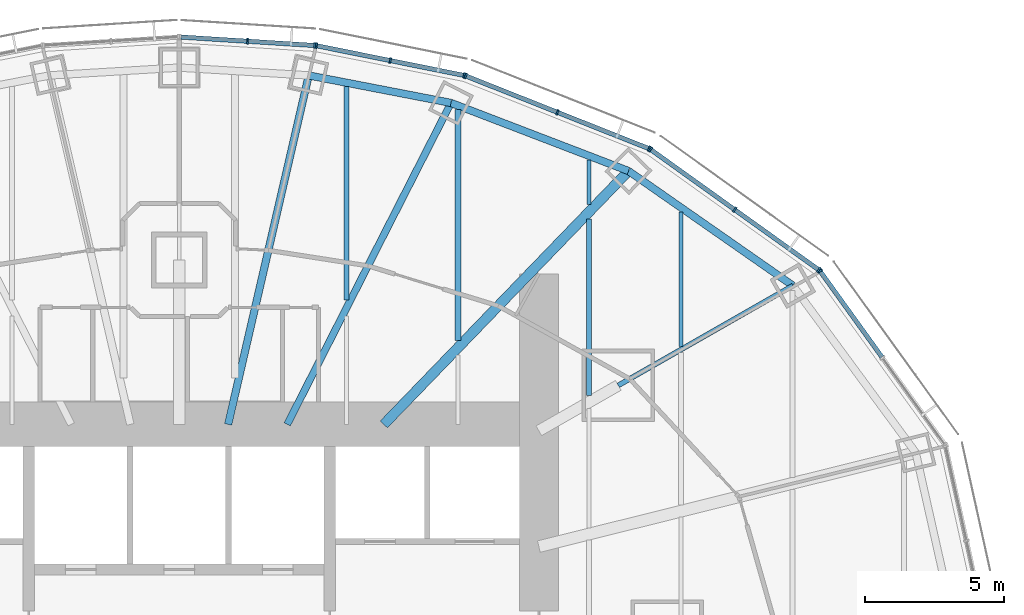
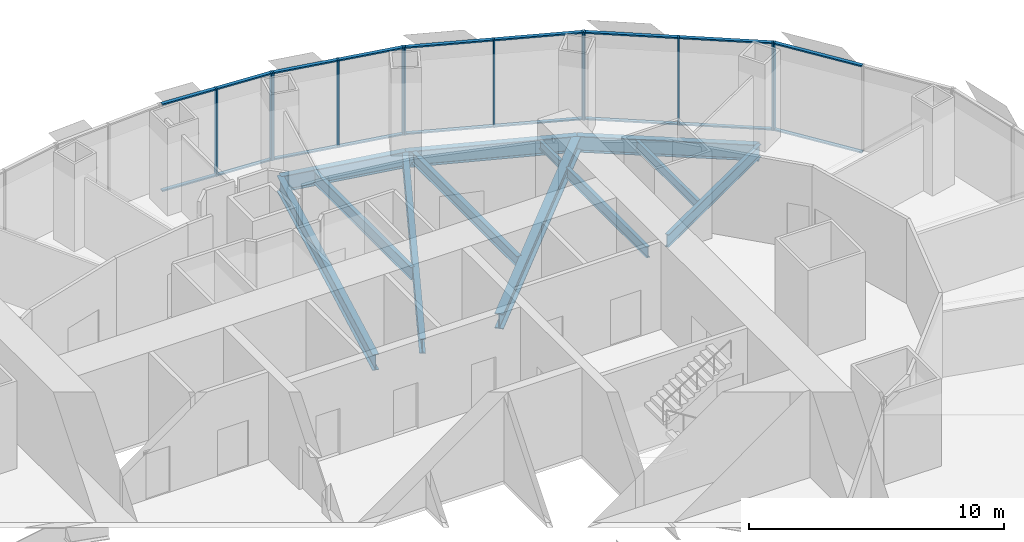
# One storey, part 8 of 17: 30 members, 12 beams, 5 elements without a shape of their own.
"""IFC4 building model written with IfcOpenShell, lengths in metres."""

from ifc_helpers import new_model, si_unit, direction, frame, origin, origin_2d, place, context, subcontext, project, spatial, rectangle, i_section, extrude, material, material_profile, profile_set, type_object, element, aggregate, save


model = new_model("IFC4")

# Units and contexts
model_context = context("Model", 3, precision=1e-05, world=origin(), true_north=direction((0.0, 1.0)))
body_context = subcontext(model_context, "Body", "Model", "MODEL_VIEW")
ifc_project = project(units=[si_unit("LENGTHUNIT", "METRE"), si_unit("AREAUNIT", "SQUARE_METRE"), si_unit("VOLUMEUNIT", "CUBIC_METRE"), si_unit("PLANEANGLEUNIT", "RADIAN"), si_unit("MASSUNIT", "GRAM", prefix="KILO")], contexts=[model_context])

# Site, building, storey
site_placement = place(None, origin())
site = spatial("IfcSite", under=ifc_project, at=site_placement, CompositionType="ELEMENT")
building_placement = place(site_placement, origin())
building = spatial("IfcBuilding", under=site, at=building_placement, Name="Lantaw Convention Tower", CompositionType="ELEMENT")
storey_placement = place(building_placement, frame((0.0, 0.0, 163.60009765625)))
storey = spatial("IfcBuildingStorey", under=building, at=storey_placement, Name="L38", CompositionType="ELEMENT", Elevation=163.60009765625)

# Beams
ifc_material_1 = material(Name="Steel ASTM A992", Category="steel")
ifc_material_profile_1 = material_profile(ifc_material_1, i_section(OverallWidth=0.2666015625, OverallDepth=0.76953125, WebThickness=0.015625, FlangeThickness=0.025390625, FilletRadius=0.0126953125, at=origin_2d()), Name="W30X132")
ifc_profile_set_1 = profile_set([ifc_material_profile_1], Name="Steel ASTM A992")
beam_type_1 = type_object("IfcBeamType", Name="Beam E W30X132", PredefinedType="SPANDREL", material=ifc_profile_set_1)
beam_1_placement = place(storey_placement, frame((22.013916015625, 12.579345703125, -0.534912109375), z_axis=(-0.820310765287, 0.57191804339, 0.0), x_axis=(-0.57191804339, -0.820310765287, 0.0)))
element("IfcBeam", 1, at=beam_1_placement, inside=storey, type_object=beam_type_1, Name="Edge beam 3", PredefinedType="SPANDREL", context=body_context, shape_type="SweptSolid", body=[
    extrude(i_section(OverallWidth=0.2666015625, OverallDepth=0.76953125, WebThickness=0.015625, FlangeThickness=0.025390625, FilletRadius=0.0126953125, at=origin_2d()), origin(), (0.0, 0.0, 1.0), 7.187744140625),
])
beam_2_placement = place(storey_placement, frame((16.11767578125, 16.690185546875, -0.534912109375), z_axis=(-0.933691081977, 0.358079549033, 0.0), x_axis=(-0.358079549033, -0.933691081977, 0.0)))
element("IfcBeam", 2, at=beam_2_placement, inside=storey, type_object=beam_type_1, Name="Edge beam 4", PredefinedType="SPANDREL", context=body_context, shape_type="SweptSolid", body=[
    extrude(i_section(OverallWidth=0.2666015625, OverallDepth=0.76953125, WebThickness=0.015625, FlangeThickness=0.025390625, FilletRadius=0.0126953125, at=origin_2d()), origin(), (0.0, 0.0, 1.0), 6.821533203125),
])
beam_3_placement = place(storey_placement, frame((9.74853515625, 19.1328125, -0.534912109375), z_axis=(-0.981796805654, 0.189934284446, 0.0), x_axis=(-0.189934284446, -0.981796805654, 0.0)))
element("IfcBeam", 3, at=beam_3_placement, inside=storey, type_object=beam_type_1, Name="Edge beam 5", PredefinedType="SPANDREL", context=body_context, shape_type="SweptSolid", body=[
    extrude(i_section(OverallWidth=0.2666015625, OverallDepth=0.76953125, WebThickness=0.015625, FlangeThickness=0.025390625, FilletRadius=0.0126953125, at=origin_2d()), origin(), (0.0, 0.0, 1.0), 5.1982421875),
])
ifc_material_profile_2 = material_profile(ifc_material_1, i_section(OverallWidth=0.177978515625, OverallDepth=0.599365234375, WebThickness=0.010009765625, FlangeThickness=0.012939453125, FilletRadius=0.012939453125, at=origin_2d()), Name="W24X55")
ifc_profile_set_2 = profile_set([ifc_material_profile_2], Name="Steel ASTM A992")
beam_type_2 = type_object("IfcBeamType", Name="Beam G W24X55", PredefinedType="BEAM", material=ifc_profile_set_2)
beam_4_placement = place(storey_placement, frame((15.75, 9.0, -0.44970703125), z_axis=(0.868245224608, 0.496135293993, 0.0), x_axis=(-0.496135293993, 0.868245224608, 0.0)))
element("IfcBeam", 4, at=beam_4_placement, inside=storey, type_object=beam_type_2, Name="Floor girder on ray 3", PredefinedType="BEAM", context=body_context, shape_type="SweptSolid", body=[
    extrude(i_section(OverallWidth=0.177978515625, OverallDepth=0.599365234375, WebThickness=0.010009765625, FlangeThickness=0.012939453125, FilletRadius=0.012939453125, at=origin_2d()), origin(), (0.0, 0.0, 1.0), 7.21435546875),
])
ifc_material_profile_3 = material_profile(ifc_material_1, i_section(OverallWidth=0.25390625, OverallDepth=0.700927734375, WebThickness=0.015380859375, FlangeThickness=0.02783203125, FilletRadius=0.01513671875, at=origin_2d()), Name="W27X129")
ifc_profile_set_3 = profile_set([ifc_material_profile_3], Name="Steel ASTM A992")
beam_type_3 = type_object("IfcBeamType", Name="Beam G W27X129", PredefinedType="BEAM", material=ifc_profile_set_3)
beam_5_placement = place(storey_placement, frame((3.872314453125, 7.60009765625, -0.500732421875), z_axis=(0.453991051051, 0.891006243281, 0.0), x_axis=(-0.891006243281, 0.453991051051, 0.0)))
element("IfcBeam", 5, at=beam_5_placement, inside=storey, type_object=beam_type_3, Name="Floor girder on ray 5", PredefinedType="BEAM", context=body_context, shape_type="SweptSolid", body=[
    extrude(i_section(OverallWidth=0.25390625, OverallDepth=0.700927734375, WebThickness=0.015380859375, FlangeThickness=0.02783203125, FilletRadius=0.01513671875, at=origin_2d()), origin(), (0.0, 0.0, 1.0), 12.943359375),
])
ifc_material_profile_4 = material_profile(ifc_material_1, i_section(OverallWidth=0.360595703125, OverallDepth=0.72900390625, WebThickness=0.023193359375, FlangeThickness=0.041015625, FilletRadius=0.0126953125, at=origin_2d()), Name="W27X235")
ifc_profile_set_4 = profile_set([ifc_material_profile_4], Name="Steel ASTM A992")
beam_type_4 = type_object("IfcBeamType", Name="Beam G W27X235", PredefinedType="BEAM", material=ifc_profile_set_4)
beam_6_placement = place(storey_placement, frame((7.33935546875, 7.60009765625, -0.5146484375), z_axis=(0.694663467407, 0.719334878239, 0.0), x_axis=(-0.719334878239, 0.694663467407, 0.0)))
element("IfcBeam", 6, at=beam_6_placement, inside=storey, type_object=beam_type_4, Name="Floor girder on ray 4", PredefinedType="BEAM", context=body_context, shape_type="SweptSolid", body=[
    extrude(i_section(OverallWidth=0.360595703125, OverallDepth=0.72900390625, WebThickness=0.023193359375, FlangeThickness=0.041015625, FilletRadius=0.0126953125, at=origin_2d()), origin(), (0.0, 0.0, 1.0), 12.63671875),
])
ifc_material_profile_5 = material_profile(ifc_material_1, i_section(OverallWidth=0.2666015625, OverallDepth=0.7568359375, WebThickness=0.013916015625, FlangeThickness=0.019287109375, FilletRadius=0.0126953125, at=origin_2d()), Name="W30X108")
ifc_profile_set_5 = profile_set([ifc_material_profile_5], Name="Steel ASTM A992")
beam_type_5 = type_object("IfcBeamType", Name="Beam G W30X108", PredefinedType="BEAM", material=ifc_profile_set_5)
beam_7_placement = place(storey_placement, frame((1.754638671875, 7.60009765625, -0.528564453125), z_axis=(0.224944153104, 0.974371658036, 0.0), x_axis=(-0.974371658036, 0.224944153104, 0.0)))
element("IfcBeam", 7, at=beam_7_placement, inside=storey, type_object=beam_type_5, Name="Floor girder on ray 6", PredefinedType="BEAM", context=body_context, shape_type="SweptSolid", body=[
    extrude(i_section(OverallWidth=0.2666015625, OverallDepth=0.7568359375, WebThickness=0.013916015625, FlangeThickness=0.019287109375, FilletRadius=0.0126953125, at=origin_2d()), origin(), (0.0, 0.0, 1.0), 12.849365234375),
])
ifc_material_profile_6 = material_profile(ifc_material_1, i_section(OverallWidth=0.140380859375, OverallDepth=0.40380859375, WebThickness=0.007080078125, FlangeThickness=0.01123046875, FilletRadius=0.01025390625, at=origin_2d()), Name="W16X31")
ifc_profile_set_6 = profile_set([ifc_material_profile_6], Name="Steel ASTM A992")
beam_type_6 = type_object("IfcBeamType", Name="Beam J W16X31", PredefinedType="JOIST", material=ifc_profile_set_6)
beam_8_placement = place(storey_placement, frame((14.699951171875, 15.48193359375, -0.35205078125), z_axis=(0.0, 1.0, 0.0), x_axis=(-1.0, 0.0, 0.0)))
element("IfcBeam", 8, at=beam_8_placement, inside=storey, type_object=beam_type_6, Name="Floor joist", PredefinedType="JOIST", context=body_context, shape_type="SweptSolid", body=[
    extrude(i_section(OverallWidth=0.140380859375, OverallDepth=0.40380859375, WebThickness=0.007080078125, FlangeThickness=0.01123046875, FilletRadius=0.01025390625, at=origin_2d()), origin(), (0.0, 0.0, 1.0), 1.609130859375),
])
ifc_material_profile_7 = material_profile(ifc_material_1, i_section(OverallWidth=0.15234375, OverallDepth=0.449462890625, WebThickness=0.007568359375, FlangeThickness=0.0107421875, FilletRadius=0.01025390625, at=origin_2d()), Name="W18X35")
ifc_profile_set_7 = profile_set([ifc_material_profile_7], Name="Steel ASTM A992")
beam_type_7 = type_object("IfcBeamType", Name="Beam J W18X35", PredefinedType="JOIST", material=ifc_profile_set_7)
beam_9_placement = place(storey_placement, frame((18.0, 10.38818359375, -0.375), z_axis=(0.0, 1.0, 0.0), x_axis=(-1.0, 0.0, 0.0)))
element("IfcBeam", 9, at=beam_9_placement, inside=storey, type_object=beam_type_7, Name="Floor joist", PredefinedType="JOIST", context=body_context, shape_type="SweptSolid", body=[
    extrude(i_section(OverallWidth=0.15234375, OverallDepth=0.449462890625, WebThickness=0.007568359375, FlangeThickness=0.0107421875, FilletRadius=0.01025390625, at=origin_2d()), origin(), (0.0, 0.0, 1.0), 4.8271484375),
])
ifc_material_profile_8 = material_profile(ifc_material_1, i_section(OverallWidth=0.1650390625, OverallDepth=0.52587890625, WebThickness=0.0087890625, FlangeThickness=0.011474609375, FilletRadius=0.0126953125, at=origin_2d()), Name="W21X44")
ifc_profile_set_8 = profile_set([ifc_material_profile_8], Name="Steel ASTM A992")
beam_type_8 = type_object("IfcBeamType", Name="Beam J W21X44", PredefinedType="JOIST", material=ifc_profile_set_8)
beam_10_placement = place(storey_placement, frame((14.699951171875, 8.632568359375, -0.4130859375), z_axis=(0.0, 1.0, 0.0), x_axis=(-1.0, 0.0, 0.0)))
element("IfcBeam", 10, at=beam_10_placement, inside=storey, type_object=beam_type_8, Name="Floor joist", PredefinedType="JOIST", context=body_context, shape_type="SweptSolid", body=[
    extrude(i_section(OverallWidth=0.1650390625, OverallDepth=0.52587890625, WebThickness=0.0087890625, FlangeThickness=0.011474609375, FilletRadius=0.0126953125, at=origin_2d()), origin(), (0.0, 0.0, 1.0), 6.330078125),
])
ifc_material_profile_9 = material_profile(ifc_material_1, i_section(OverallWidth=0.2099609375, OverallDepth=0.535888671875, WebThickness=0.010986328125, FlangeThickness=0.017333984375, FilletRadius=0.012939453125, at=origin_2d()), Name="W21X68")
ifc_profile_set_9 = profile_set([ifc_material_profile_9], Name="Steel ASTM A992")
beam_type_9 = type_object("IfcBeamType", Name="Beam J W21X68", PredefinedType="JOIST", material=ifc_profile_set_9)
beam_11_placement = place(storey_placement, frame((10.0, 10.614990234375, -0.41796875), z_axis=(0.0, 1.0, 0.0), x_axis=(-1.0, 0.0, 0.0)))
element("IfcBeam", 11, at=beam_11_placement, inside=storey, type_object=beam_type_9, Name="Floor joist", PredefinedType="JOIST", context=body_context, shape_type="SweptSolid", body=[
    extrude(i_section(OverallWidth=0.2099609375, OverallDepth=0.535888671875, WebThickness=0.010986328125, FlangeThickness=0.017333984375, FilletRadius=0.012939453125, at=origin_2d()), origin(), (0.0, 0.0, 1.0), 8.278564453125),
])
ifc_material_profile_10 = material_profile(ifc_material_1, i_section(OverallWidth=0.177978515625, OverallDepth=0.599365234375, WebThickness=0.010009765625, FlangeThickness=0.012939453125, FilletRadius=0.012939453125, at=origin_2d()), Name="W24X55")
ifc_profile_set_10 = profile_set([ifc_material_profile_10], Name="Steel ASTM A992")
beam_type_10 = type_object("IfcBeamType", Name="Beam J W24X55", PredefinedType="JOIST", material=ifc_profile_set_10)
beam_12_placement = place(storey_placement, frame((6.0, 12.055419921875, -0.44970703125), z_axis=(0.0, 1.0, 0.0), x_axis=(-1.0, 0.0, 0.0)))
element("IfcBeam", 12, at=beam_12_placement, inside=storey, type_object=beam_type_10, Name="Floor joist", PredefinedType="JOIST", context=body_context, shape_type="SweptSolid", body=[
    extrude(i_section(OverallWidth=0.177978515625, OverallDepth=0.599365234375, WebThickness=0.010009765625, FlangeThickness=0.012939453125, FilletRadius=0.012939453125, at=origin_2d()), origin(), (0.0, 0.0, 1.0), 7.666748046875),
])

# Curtain wall, member
ifc_material_2 = material(Name="Aluminium framed curtain wall", Category="aluminium")
curtain_wall_type = type_object("IfcCurtainWallType", Name="Office curtain wall low rise, pale aluminium", PredefinedType="USERDEFINED", material=ifc_material_2)
curtain_wall_1_placement = place(storey_placement, origin())
curtain_wall_1 = element("IfcCurtainWall", 13, at=curtain_wall_1_placement, inside=storey, type_object=curtain_wall_type, Name="Office curtain wall low rise, pale aluminium L38", ObjectType="UNITISED CURTAIN WALL", PredefinedType="USERDEFINED")
ifc_material_3 = material(Name="Aluminium 6063-T6", Category="aluminium")
ifc_material_profile_11 = material_profile(ifc_material_3, rectangle(XDim=0.199951171875, YDim=0.06494140625, at=origin_2d()), Name="CW-O1 mullion 65x200")
ifc_profile_set_11 = profile_set([ifc_material_profile_11], Name="Aluminium 6063-T6")
member_type_1 = type_object("IfcMemberType", Name="CW-O1 mullion 65x200", PredefinedType="MULLION", material=ifc_profile_set_11)
member_1_placement = place(storey_placement, frame((22.988037109375, 13.098876953125, -0.150146484375), z_axis=(0.0, 0.0, 1.0), x_axis=(-0.811384633629, -0.584512597221, 0.0)))
member_1 = element("IfcMember", 14, at=member_1_placement, type_object=member_type_1, Name="CW-O1 mullion 3", PredefinedType="MULLION", context=body_context, shape_type="SweptSolid", body=[
    extrude(rectangle(XDim=0.199951171875, YDim=0.06494140625, at=origin_2d()), origin(), (0.0, 0.0, 1.0), 4.199951171875),
])

# Curtain wall, members
curtain_wall_2_placement = place(storey_placement, origin())
curtain_wall_2 = element("IfcCurtainWall", 15, at=curtain_wall_2_placement, inside=storey, type_object=curtain_wall_type, Name="Office curtain wall low rise, pale aluminium L38", ObjectType="UNITISED CURTAIN WALL", PredefinedType="USERDEFINED")
member_2_placement = place(storey_placement, frame((22.942626953125, 13.14404296875, -0.150146484375), z_axis=(0.0, 0.0, 1.0), x_axis=(-0.581972695693, -0.813208325995, 0.0)))
member_2 = element("IfcMember", 16, at=member_2_placement, type_object=member_type_1, Name="CW-O1 mullion 1", PredefinedType="MULLION", context=body_context, shape_type="SweptSolid", body=[
    extrude(rectangle(XDim=0.199951171875, YDim=0.06494140625, at=origin_2d()), origin(), (0.0, 0.0, 1.0), 4.199951171875),
])
member_3_placement = place(storey_placement, frame((19.92529296875, 15.303466796875, -0.150146484375), z_axis=(0.0, 0.0, 1.0), x_axis=(-0.581972695693, -0.813208325995, 0.0)))
member_3 = element("IfcMember", 17, at=member_3_placement, type_object=member_type_1, Name="CW-O1 mullion 2", PredefinedType="MULLION", context=body_context, shape_type="SweptSolid", body=[
    extrude(rectangle(XDim=0.199951171875, YDim=0.06494140625, at=origin_2d()), origin(), (0.0, 0.0, 1.0), 4.199951171875),
])
member_4_placement = place(storey_placement, frame((16.908203125, 17.462646484375, -0.150146484375), z_axis=(0.0, 0.0, 1.0), x_axis=(-0.581972695693, -0.813208325995, 0.0)))
member_4 = element("IfcMember", 18, at=member_4_placement, type_object=member_type_1, Name="CW-O1 mullion 3", PredefinedType="MULLION", context=body_context, shape_type="SweptSolid", body=[
    extrude(rectangle(XDim=0.199951171875, YDim=0.06494140625, at=origin_2d()), origin(), (0.0, 0.0, 1.0), 4.199951171875),
])

curtain_wall_3_placement = place(storey_placement, origin())
curtain_wall_3 = element("IfcCurtainWall", 19, at=curtain_wall_3_placement, inside=storey, type_object=curtain_wall_type, Name="Office curtain wall low rise, pale aluminium L38", ObjectType="UNITISED CURTAIN WALL", PredefinedType="USERDEFINED")
member_5_placement = place(storey_placement, frame((16.8515625, 17.49365234375, -0.150146484375), z_axis=(0.0, 0.0, 1.0), x_axis=(-0.368701907483, -0.929547687544, 0.0)))
member_5 = element("IfcMember", 20, at=member_5_placement, type_object=member_type_1, Name="CW-O1 mullion 1", PredefinedType="MULLION", context=body_context, shape_type="SweptSolid", body=[
    extrude(rectangle(XDim=0.199951171875, YDim=0.06494140625, at=origin_2d()), origin(), (0.0, 0.0, 1.0), 4.199951171875),
])
member_6_placement = place(storey_placement, frame((13.56494140625, 18.797119140625, -0.150146484375), z_axis=(0.0, 0.0, 1.0), x_axis=(-0.368701907483, -0.929547687544, 0.0)))
member_6 = element("IfcMember", 21, at=member_6_placement, type_object=member_type_1, Name="CW-O1 mullion 2", PredefinedType="MULLION", context=body_context, shape_type="SweptSolid", body=[
    extrude(rectangle(XDim=0.199951171875, YDim=0.06494140625, at=origin_2d()), origin(), (0.0, 0.0, 1.0), 4.199951171875),
])
member_7_placement = place(storey_placement, frame((10.2783203125, 20.100830078125, -0.150146484375), z_axis=(0.0, 0.0, 1.0), x_axis=(-0.368701907483, -0.929547687544, 0.0)))
member_7 = element("IfcMember", 22, at=member_7_placement, type_object=member_type_1, Name="CW-O1 mullion 3", PredefinedType="MULLION", context=body_context, shape_type="SweptSolid", body=[
    extrude(rectangle(XDim=0.199951171875, YDim=0.06494140625, at=origin_2d()), origin(), (0.0, 0.0, 1.0), 4.199951171875),
])

curtain_wall_4_placement = place(storey_placement, origin())
curtain_wall_4 = element("IfcCurtainWall", 23, at=curtain_wall_4_placement, inside=storey, type_object=curtain_wall_type, Name="Office curtain wall low rise, pale aluminium L38", ObjectType="UNITISED CURTAIN WALL", PredefinedType="USERDEFINED")
member_8_placement = place(storey_placement, frame((10.216064453125, 20.119140625, -0.150146484375), z_axis=(0.0, 0.0, 1.0), x_axis=(-0.197506809659, -0.980301514912, 0.0)))
member_8 = element("IfcMember", 24, at=member_8_placement, type_object=member_type_1, Name="CW-O1 mullion 1", PredefinedType="MULLION", context=body_context, shape_type="SweptSolid", body=[
    extrude(rectangle(XDim=0.199951171875, YDim=0.06494140625, at=origin_2d()), origin(), (0.0, 0.0, 1.0), 4.199951171875),
])
member_9_placement = place(storey_placement, frame((7.5703125, 20.65234375, -0.150146484375), z_axis=(0.0, 0.0, 1.0), x_axis=(-0.197506809659, -0.980301514912, 0.0)))
member_9 = element("IfcMember", 25, at=member_9_placement, type_object=member_type_1, Name="CW-O1 mullion 2", PredefinedType="MULLION", context=body_context, shape_type="SweptSolid", body=[
    extrude(rectangle(XDim=0.199951171875, YDim=0.06494140625, at=origin_2d()), origin(), (0.0, 0.0, 1.0), 4.199951171875),
])
member_10_placement = place(storey_placement, frame((4.92431640625, 21.185302734375, -0.150146484375), z_axis=(0.0, 0.0, 1.0), x_axis=(-0.197506809659, -0.980301514912, 0.0)))
member_10 = element("IfcMember", 26, at=member_10_placement, type_object=member_type_1, Name="CW-O1 mullion 3", PredefinedType="MULLION", context=body_context, shape_type="SweptSolid", body=[
    extrude(rectangle(XDim=0.199951171875, YDim=0.06494140625, at=origin_2d()), origin(), (0.0, 0.0, 1.0), 4.199951171875),
])

curtain_wall_5_placement = place(storey_placement, origin())
curtain_wall_5 = element("IfcCurtainWall", 27, at=curtain_wall_5_placement, inside=storey, type_object=curtain_wall_type, Name="Office curtain wall low rise, pale aluminium L38", ObjectType="UNITISED CURTAIN WALL", PredefinedType="USERDEFINED")
member_11_placement = place(storey_placement, frame((4.860107421875, 21.19384765625, -0.150146484375), z_axis=(0.0, 0.0, 1.0), x_axis=(-0.062865059466, -0.998022035978, 0.0)))
member_11 = element("IfcMember", 28, at=member_11_placement, type_object=member_type_1, Name="CW-O1 mullion 1", PredefinedType="MULLION", context=body_context, shape_type="SweptSolid", body=[
    extrude(rectangle(XDim=0.199951171875, YDim=0.06494140625, at=origin_2d()), origin(), (0.0, 0.0, 1.0), 4.199951171875),
])
member_12_placement = place(storey_placement, frame((2.4462890625, 21.345947265625, -0.150146484375), z_axis=(0.0, 0.0, 1.0), x_axis=(-0.062865059466, -0.998022035978, 0.0)))
member_12 = element("IfcMember", 29, at=member_12_placement, type_object=member_type_1, Name="CW-O1 mullion 2", PredefinedType="MULLION", context=body_context, shape_type="SweptSolid", body=[
    extrude(rectangle(XDim=0.199951171875, YDim=0.06494140625, at=origin_2d()), origin(), (0.0, 0.0, 1.0), 4.199951171875),
])

# Member
ifc_material_profile_12 = material_profile(ifc_material_3, rectangle(XDim=0.159912109375, YDim=0.06494140625, at=origin_2d()), Name="CW-O1 transom 65x160")
ifc_profile_set_12 = profile_set([ifc_material_profile_12], Name="Aluminium 6063-T6")
member_type_2 = type_object("IfcMemberType", Name="CW-O1 transom 65x160", PredefinedType="USERDEFINED", material=ifc_profile_set_12)
member_13_placement = place(storey_placement, frame((25.209228515625, 10.015625, -0.11767578125), z_axis=(-0.584512973979, 0.811384362217, 0.0), x_axis=(-0.811384362217, -0.584512973979, 0.0)))
member_13 = element("IfcMember", 30, at=member_13_placement, type_object=member_type_2, Name="CW-O1 transom 2.1", ObjectType="TRANSOM", PredefinedType="USERDEFINED", context=body_context, shape_type="SweptSolid", body=[
    extrude(rectangle(XDim=0.159912109375, YDim=0.06494140625, at=origin_2d()), origin(), (0.0, 0.0, 1.0), 3.767578125),
])

member_14_placement = place(storey_placement, frame((25.209228515625, 10.015625, 4.017333984375), z_axis=(-0.584512973979, 0.811384362217, 0.0), x_axis=(-0.811384362217, -0.584512973979, 0.0)))
member_14 = element("IfcMember", 31, at=member_14_placement, type_object=member_type_2, Name="CW-O1 transom 2.2", ObjectType="TRANSOM", PredefinedType="USERDEFINED", context=body_context, shape_type="SweptSolid", body=[
    extrude(rectangle(XDim=0.159912109375, YDim=0.06494140625, at=origin_2d()), origin(), (0.0, 0.0, 1.0), 3.767578125),
])

aggregate(curtain_wall_1, [member_1, member_13, member_14])

member_15_placement = place(storey_placement, frame((22.916259765625, 13.1630859375, -0.11767578125), z_axis=(-0.813221785972, 0.581953887194, 0.0), x_axis=(-0.581953887194, -0.813221785972, 0.0)))
member_15 = element("IfcMember", 32, at=member_15_placement, type_object=member_type_2, Name="CW-O1 transom 1.1", ObjectType="TRANSOM", PredefinedType="USERDEFINED", context=body_context, shape_type="SweptSolid", body=[
    extrude(rectangle(XDim=0.159912109375, YDim=0.06494140625, at=origin_2d()), origin(), (0.0, 0.0, 1.0), 3.645263671875),
])

member_16_placement = place(storey_placement, frame((22.916259765625, 13.1630859375, 4.017333984375), z_axis=(-0.813221785972, 0.581953887194, 0.0), x_axis=(-0.581953887194, -0.813221785972, 0.0)))
member_16 = element("IfcMember", 33, at=member_16_placement, type_object=member_type_2, Name="CW-O1 transom 1.2", ObjectType="TRANSOM", PredefinedType="USERDEFINED", context=body_context, shape_type="SweptSolid", body=[
    extrude(rectangle(XDim=0.159912109375, YDim=0.06494140625, at=origin_2d()), origin(), (0.0, 0.0, 1.0), 3.645263671875),
])

member_17_placement = place(storey_placement, frame((19.89892578125, 15.322265625, -0.11767578125), z_axis=(-0.813190089133, 0.581998177777, 0.0), x_axis=(-0.581998177777, -0.813190089133, 0.0)))
member_17 = element("IfcMember", 34, at=member_17_placement, type_object=member_type_2, Name="CW-O1 transom 2.1", ObjectType="TRANSOM", PredefinedType="USERDEFINED", context=body_context, shape_type="SweptSolid", body=[
    extrude(rectangle(XDim=0.159912109375, YDim=0.06494140625, at=origin_2d()), origin(), (0.0, 0.0, 1.0), 3.645263671875),
])

member_18_placement = place(storey_placement, frame((19.89892578125, 15.322265625, 4.017333984375), z_axis=(-0.813190089133, 0.581998177777, 0.0), x_axis=(-0.581998177777, -0.813190089133, 0.0)))
member_18 = element("IfcMember", 35, at=member_18_placement, type_object=member_type_2, Name="CW-O1 transom 2.2", ObjectType="TRANSOM", PredefinedType="USERDEFINED", context=body_context, shape_type="SweptSolid", body=[
    extrude(rectangle(XDim=0.159912109375, YDim=0.06494140625, at=origin_2d()), origin(), (0.0, 0.0, 1.0), 3.645263671875),
])

aggregate(curtain_wall_2, [member_2, member_3, member_4, member_15, member_16, member_17, member_18])

member_19_placement = place(storey_placement, frame((16.8212890625, 17.505615234375, -0.11767578125), z_axis=(-0.929564188507, 0.368660303592, 0.0), x_axis=(-0.368660303592, -0.929564188507, 0.0)))
member_19 = element("IfcMember", 36, at=member_19_placement, type_object=member_type_2, Name="CW-O1 transom 1.1", ObjectType="TRANSOM", PredefinedType="USERDEFINED", context=body_context, shape_type="SweptSolid", body=[
    extrude(rectangle(XDim=0.159912109375, YDim=0.06494140625, at=origin_2d()), origin(), (0.0, 0.0, 1.0), 3.470703125),
])

member_20_placement = place(storey_placement, frame((16.8212890625, 17.505615234375, 4.017333984375), z_axis=(-0.929564188507, 0.368660303592, 0.0), x_axis=(-0.368660303592, -0.929564188507, 0.0)))
member_20 = element("IfcMember", 37, at=member_20_placement, type_object=member_type_2, Name="CW-O1 transom 1.2", ObjectType="TRANSOM", PredefinedType="USERDEFINED", context=body_context, shape_type="SweptSolid", body=[
    extrude(rectangle(XDim=0.159912109375, YDim=0.06494140625, at=origin_2d()), origin(), (0.0, 0.0, 1.0), 3.470703125),
])

member_21_placement = place(storey_placement, frame((13.53466796875, 18.80908203125, -0.11767578125), z_axis=(-0.929540081544, 0.368721082668, 0.0), x_axis=(-0.368721082668, -0.929540081544, 0.0)))
member_21 = element("IfcMember", 38, at=member_21_placement, type_object=member_type_2, Name="CW-O1 transom 2.1", ObjectType="TRANSOM", PredefinedType="USERDEFINED", context=body_context, shape_type="SweptSolid", body=[
    extrude(rectangle(XDim=0.159912109375, YDim=0.06494140625, at=origin_2d()), origin(), (0.0, 0.0, 1.0), 3.470947265625),
])

member_22_placement = place(storey_placement, frame((13.53466796875, 18.80908203125, 4.017333984375), z_axis=(-0.929540081544, 0.368721082668, 0.0), x_axis=(-0.368721082668, -0.929540081544, 0.0)))
member_22 = element("IfcMember", 39, at=member_22_placement, type_object=member_type_2, Name="CW-O1 transom 2.2", ObjectType="TRANSOM", PredefinedType="USERDEFINED", context=body_context, shape_type="SweptSolid", body=[
    extrude(rectangle(XDim=0.159912109375, YDim=0.06494140625, at=origin_2d()), origin(), (0.0, 0.0, 1.0), 3.470947265625),
])

aggregate(curtain_wall_3, [member_5, member_6, member_7, member_19, member_20, member_21, member_22])

member_23_placement = place(storey_placement, frame((10.184326171875, 20.125732421875, -0.11767578125), z_axis=(-0.980301643003, 0.197506173891, 0.0), x_axis=(-0.197506173891, -0.980301643003, 0.0)))
member_23 = element("IfcMember", 40, at=member_23_placement, type_object=member_type_2, Name="CW-O1 transom 1.1", ObjectType="TRANSOM", PredefinedType="USERDEFINED", context=body_context, shape_type="SweptSolid", body=[
    extrude(rectangle(XDim=0.159912109375, YDim=0.06494140625, at=origin_2d()), origin(), (0.0, 0.0, 1.0), 2.63427734375),
])

member_24_placement = place(storey_placement, frame((10.184326171875, 20.125732421875, 4.017333984375), z_axis=(-0.980301643003, 0.197506173891, 0.0), x_axis=(-0.197506173891, -0.980301643003, 0.0)))
member_24 = element("IfcMember", 41, at=member_24_placement, type_object=member_type_2, Name="CW-O1 transom 1.2", ObjectType="TRANSOM", PredefinedType="USERDEFINED", context=body_context, shape_type="SweptSolid", body=[
    extrude(rectangle(XDim=0.159912109375, YDim=0.06494140625, at=origin_2d()), origin(), (0.0, 0.0, 1.0), 2.63427734375),
])

member_25_placement = place(storey_placement, frame((7.538330078125, 20.65869140625, -0.11767578125), z_axis=(-0.980298027092, 0.197524120247, 0.0), x_axis=(-0.197524120247, -0.980298027092, 0.0)))
member_25 = element("IfcMember", 42, at=member_25_placement, type_object=member_type_2, Name="CW-O1 transom 2.1", ObjectType="TRANSOM", PredefinedType="USERDEFINED", context=body_context, shape_type="SweptSolid", body=[
    extrude(rectangle(XDim=0.159912109375, YDim=0.06494140625, at=origin_2d()), origin(), (0.0, 0.0, 1.0), 2.634033203125),
])

member_26_placement = place(storey_placement, frame((7.538330078125, 20.65869140625, 4.017333984375), z_axis=(-0.980298027092, 0.197524120247, 0.0), x_axis=(-0.197524120247, -0.980298027092, 0.0)))
member_26 = element("IfcMember", 43, at=member_26_placement, type_object=member_type_2, Name="CW-O1 transom 2.2", ObjectType="TRANSOM", PredefinedType="USERDEFINED", context=body_context, shape_type="SweptSolid", body=[
    extrude(rectangle(XDim=0.159912109375, YDim=0.06494140625, at=origin_2d()), origin(), (0.0, 0.0, 1.0), 2.634033203125),
])

aggregate(curtain_wall_4, [member_8, member_9, member_10, member_23, member_24, member_25, member_26])

member_27_placement = place(storey_placement, frame((4.82763671875, 21.19580078125, -0.11767578125), z_axis=(-0.998022188463, 0.062862638625, 0.0), x_axis=(-0.062862638625, -0.998022188463, 0.0)))
member_27 = element("IfcMember", 44, at=member_27_placement, type_object=member_type_2, Name="CW-O1 transom 1.1", ObjectType="TRANSOM", PredefinedType="USERDEFINED", context=body_context, shape_type="SweptSolid", body=[
    extrude(rectangle(XDim=0.159912109375, YDim=0.06494140625, at=origin_2d()), origin(), (0.0, 0.0, 1.0), 2.353515625),
])

member_28_placement = place(storey_placement, frame((4.82763671875, 21.19580078125, 4.017333984375), z_axis=(-0.998022188463, 0.062862638625, 0.0), x_axis=(-0.062862638625, -0.998022188463, 0.0)))
member_28 = element("IfcMember", 45, at=member_28_placement, type_object=member_type_2, Name="CW-O1 transom 1.2", ObjectType="TRANSOM", PredefinedType="USERDEFINED", context=body_context, shape_type="SweptSolid", body=[
    extrude(rectangle(XDim=0.159912109375, YDim=0.06494140625, at=origin_2d()), origin(), (0.0, 0.0, 1.0), 2.353515625),
])

member_29_placement = place(storey_placement, frame((2.413818359375, 21.347900390625, -0.11767578125), z_axis=(-0.998022188463, 0.062862638625, 0.0), x_axis=(-0.062862638625, -0.998022188463, 0.0)))
member_29 = element("IfcMember", 46, at=member_29_placement, type_object=member_type_2, Name="CW-O1 transom 2.1", ObjectType="TRANSOM", PredefinedType="USERDEFINED", context=body_context, shape_type="SweptSolid", body=[
    extrude(rectangle(XDim=0.159912109375, YDim=0.06494140625, at=origin_2d()), origin(), (0.0, 0.0, 1.0), 2.353515625),
])

member_30_placement = place(storey_placement, frame((2.413818359375, 21.347900390625, 4.017333984375), z_axis=(-0.998022188463, 0.062862638625, 0.0), x_axis=(-0.062862638625, -0.998022188463, 0.0)))
member_30 = element("IfcMember", 47, at=member_30_placement, type_object=member_type_2, Name="CW-O1 transom 2.2", ObjectType="TRANSOM", PredefinedType="USERDEFINED", context=body_context, shape_type="SweptSolid", body=[
    extrude(rectangle(XDim=0.159912109375, YDim=0.06494140625, at=origin_2d()), origin(), (0.0, 0.0, 1.0), 2.353515625),
])

aggregate(curtain_wall_5, [member_11, member_12, member_27, member_28, member_29, member_30])

save(model, "model.ifc")
